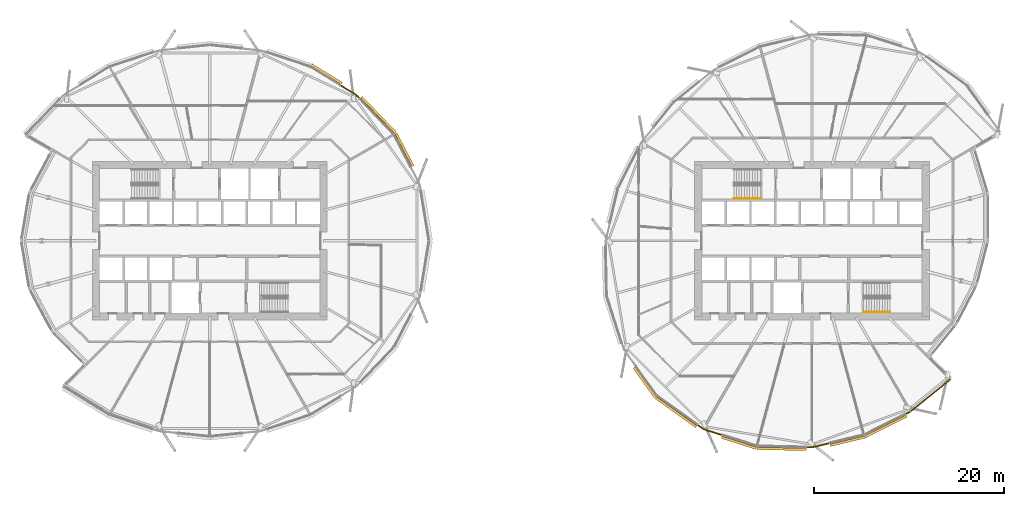
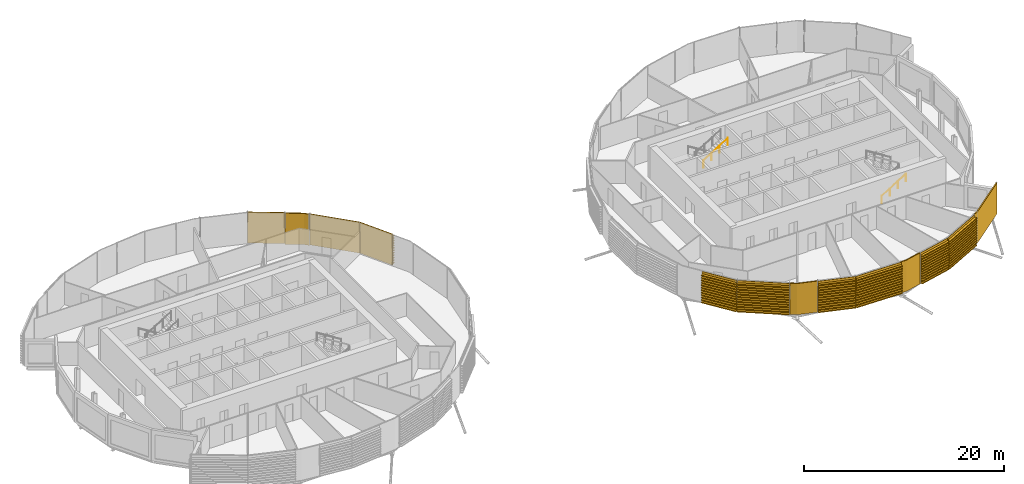
# One storey, part 36 of 38: 13 coverings, 2 railings.
"""IFC4 building model written with IfcOpenShell, lengths in metres."""

import ifcopenshell
import ifcopenshell.guid

model = None  # the IFC model being written
_history = None  # IfcOwnerHistory: only IFC2X3 demands one
_inside = {}  # id of a spatial element -> (the spatial element, [elements in it])
_under = {}  # id of a project, library or spatial element -> (it, [spatial elements below it])
_declared = {}  # id of a project -> (the project, [libraries it declares])
_typed = {}  # id of a type object -> (the type object, [elements of that type])
_made_of = {}  # id of a material, layer set ... -> (it, [elements and type objects made of it])


def new_model(schema):
    """Start an empty IFC model of exactly this schema.

    Asked for "IFC4X3", IfcOpenShell would pick the latest addendum, in which some entities
    have other attributes; the version numbers below select the first issue.
    IFC2X3 requires an IfcOwnerHistory on every rooted entity: one is made here for all.
    """
    global model, _history
    if schema == "IFC4X3":
        model = ifcopenshell.file(schema_version=(4, 3, 0, 0))
    else:
        model = ifcopenshell.file(schema=schema)
    _inside.clear()
    _under.clear()
    _declared.clear()
    _typed.clear()
    _made_of.clear()
    _history = None
    if model.schema == "IFC2X3":
        org = make("IfcOrganization", Name="unknown")
        user = make(
            "IfcPersonAndOrganization",
            ThePerson=make("IfcPerson", FamilyName="unknown"),
            TheOrganization=org,
        )
        app = make(
            "IfcApplication",
            ApplicationDeveloper=org,
            Version="unknown",
            ApplicationFullName="unknown",
            ApplicationIdentifier="unknown",
        )
        _history = make(
            "IfcOwnerHistory",
            OwningUser=user,
            OwningApplication=app,
            ChangeAction="ADDED",
            CreationDate=0,
        )
    return model


def make(cls, **values):
    """One entity of the class cls with the attributes given. An attribute that is None is left unset."""
    return model.create_entity(
        cls, **{name: value for name, value in values.items() if value is not None}
    )


def rooted(cls, **values):
    """An entity with a GlobalId (a new one), such as an element, a storey or a relation."""
    return make(cls, GlobalId=ifcopenshell.guid.new(), OwnerHistory=_history, **values)


def si_unit(unit_type, name, prefix=None):
    """IfcSIUnit, for example si_unit("LENGTHUNIT", "METRE", prefix="MILLI")."""
    return make("IfcSIUnit", UnitType=unit_type, Prefix=prefix, Name=name)


def assignment(units):
    """IfcUnitAssignment: the units of a project."""
    return None if units is None else make("IfcUnitAssignment", Units=units)


def point(xyz):
    """IfcCartesianPoint."""
    return None if xyz is None else make("IfcCartesianPoint", Coordinates=xyz)


def direction(xyz):
    """IfcDirection."""
    return None if xyz is None else make("IfcDirection", DirectionRatios=xyz)


def frame(location, z_axis=None, x_axis=None):
    """IfcAxis2Placement3D, a coordinate frame: its origin and axes. An axis left out is left unset."""
    return make(
        "IfcAxis2Placement3D",
        Location=point(location),
        Axis=direction(z_axis),
        RefDirection=direction(x_axis),
    )


def frame_2d(location, x_axis=None):
    """IfcAxis2Placement2D, a coordinate frame in the plane: its origin and x axis."""
    return make(
        "IfcAxis2Placement2D", Location=point(location), RefDirection=direction(x_axis)
    )


def origin():
    """The frame at (0, 0, 0) with its axes left unset."""
    return frame((0.0, 0.0, 0.0))


def origin_2d():
    """The frame at (0, 0) in the plane with its x axis left unset."""
    return frame_2d((0.0, 0.0))


def place(relative_to, where):
    """IfcLocalPlacement: puts the frame where relative to a parent placement (None: the world)."""
    return make(
        "IfcLocalPlacement", PlacementRelTo=relative_to, RelativePlacement=where
    )


def context(
    kind, dimensions, precision=None, world=None, true_north=None, identifier=None
):
    """IfcGeometricRepresentationContext, for example the 3D "Model" context."""
    return make(
        "IfcGeometricRepresentationContext",
        ContextIdentifier=identifier,
        ContextType=kind,
        CoordinateSpaceDimension=dimensions,
        Precision=precision,
        WorldCoordinateSystem=world,
        TrueNorth=true_north,
    )


def subcontext(parent, identifier, kind, view, scale=None):
    """IfcGeometricRepresentationSubContext, for example "Body" below "Model"."""
    return make(
        "IfcGeometricRepresentationSubContext",
        ContextIdentifier=identifier,
        ContextType=kind,
        ParentContext=parent,
        TargetScale=scale,
        TargetView=view,
    )


def project(units=None, contexts=None):
    """IfcProject with its units and contexts."""
    return rooted(
        "IfcProject",
        Name="project",
        RepresentationContexts=contexts,
        UnitsInContext=assignment(units),
    )


def spatial(cls, under=None, at=None, **own):
    """A site, building, storey or space (cls), placed at a placement, below another one or the project."""
    s = rooted(cls, ObjectPlacement=at, **own)
    if under is not None:
        _under.setdefault(under.id(), (under, []))[1].append(s)
    return s


def polyline(points):
    """IfcPolyline through the points."""
    return make("IfcPolyline", Points=[point(p) for p in points])


def profile(cls, at=None, kind="AREA", **sizes):
    """A parametric profile (cls). Its sizes go by their IFC names, for example OverallWidth=200.0."""
    return make(cls, ProfileType=kind, Position=at, **sizes)


def circle(**sizes):
    """IfcCircleProfileDef."""
    return profile("IfcCircleProfileDef", **sizes)


def outline(outer, holes=None, kind="AREA"):
    """IfcArbitraryClosedProfileDef: a profile drawn as a closed curve; with holes, ...WithVoids."""
    if holes is None:
        return make("IfcArbitraryClosedProfileDef", ProfileType=kind, OuterCurve=outer)
    return make(
        "IfcArbitraryProfileDefWithVoids",
        ProfileType=kind,
        OuterCurve=outer,
        InnerCurves=holes,
    )


def extrude(swept, where, along, depth):
    """IfcExtrudedAreaSolid: the profile swept, set in the frame where, extruded along a direction by depth."""
    return make(
        "IfcExtrudedAreaSolid",
        SweptArea=swept,
        Position=where,
        ExtrudedDirection=direction(along),
        Depth=depth,
    )


def shape(context_of_items, identifier, shape_type, items):
    """IfcShapeRepresentation: the items that make up one representation, for example the "Body"."""
    return make(
        "IfcShapeRepresentation",
        ContextOfItems=context_of_items,
        RepresentationIdentifier=identifier,
        RepresentationType=shape_type,
        Items=items,
    )


def material(Name=None, Category=None):
    """IfcMaterial."""
    return make("IfcMaterial", Name=Name, Category=Category)


def layer(
    of_material, thickness, ventilated=None, Name=None, Category=None, Priority=None
):
    """IfcMaterialLayer: one layer of a wall or slab, of a material (None: an air gap)."""
    return make(
        "IfcMaterialLayer",
        Material=of_material,
        LayerThickness=thickness,
        IsVentilated=ventilated,
        Name=Name,
        Category=Category,
        Priority=Priority,
    )


def layer_set(layers, Name=None):
    """IfcMaterialLayerSet."""
    return make("IfcMaterialLayerSet", MaterialLayers=layers, LayerSetName=Name)


def material_profile(
    of_material, cross_section, Name=None, Category=None, Priority=None
):
    """IfcMaterialProfile: a cross section and its material."""
    return make(
        "IfcMaterialProfile",
        Name=Name,
        Material=of_material,
        Profile=cross_section,
        Priority=Priority,
        Category=Category,
    )


def profile_set(profiles, Name=None, composite=None):
    """IfcMaterialProfileSet."""
    return make(
        "IfcMaterialProfileSet",
        Name=Name,
        MaterialProfiles=profiles,
        CompositeProfile=composite,
    )


def made_of(thing, what):
    """Note that an element or type object is made of a material, layer set ...; save() writes the relation."""
    if what is not None:
        _made_of.setdefault(what.id(), (what, []))[1].append(thing)
    return thing


def type_object(cls, material=None, **own):
    """A type object (cls), such as IfcWallType, which elements share."""
    return made_of(rooted(cls, **own), material)


def element(
    cls,
    number,
    at=None,
    inside=None,
    cuts=None,
    type_object=None,
    material=None,
    context=None,
    identifier="Body",
    shape_type=None,
    held_by="IfcProductDefinitionShape",
    body=None,
    shapes=None,
    **own,
):
    """One element of the class cls, such as IfcWall. Its Tag is "e" and its number.

    at: its placement. inside: the storey or other place that contains it. cuts: it is an
    opening in that element (IfcRelVoidsElement). A single representation is given by context,
    identifier, shape_type and body (its items); several are given by shapes. held_by: the class
    of the entity that holds the representations. save() writes the other relations.
    """
    e = rooted(cls, Tag="e%d" % number, ObjectPlacement=at, **own)
    if body is not None:
        shapes = [shape(context, identifier, shape_type, body)]
    if shapes is not None:
        e.Representation = make(held_by, Representations=shapes)
    if inside is not None:
        _inside.setdefault(inside.id(), (inside, []))[1].append(e)
    if cuts is not None:
        rooted(
            "IfcRelVoidsElement", RelatingBuildingElement=cuts, RelatedOpeningElement=e
        )
    if type_object is not None:
        _typed.setdefault(type_object.id(), (type_object, []))[1].append(e)
    return made_of(e, material)


def aggregate(whole, parts):
    """IfcRelAggregates: a whole, such as a stair, and the parts it consists of."""
    return rooted("IfcRelAggregates", RelatingObject=whole, RelatedObjects=parts)


def save(model, path):
    """Write the relations noted so far, then the file.

    IfcRelAggregates (storeys below a building ...), IfcRelContainedInSpatialStructure (elements
    in a storey), IfcRelDefinesByType, IfcRelAssociatesMaterial and IfcRelDeclares: one each for
    every whole, place, type object, material and project.
    """
    for whole, parts in _under.values():
        aggregate(whole, parts)
    for where, things in _inside.values():
        rooted(
            "IfcRelContainedInSpatialStructure",
            RelatedElements=things,
            RelatingStructure=where,
        )
    for kind, things in _typed.values():
        rooted("IfcRelDefinesByType", RelatedObjects=things, RelatingType=kind)
    for what, things in _made_of.values():
        rooted("IfcRelAssociatesMaterial", RelatedObjects=things, RelatingMaterial=what)
    for by, libraries in _declared.values():
        rooted("IfcRelDeclares", RelatingContext=by, RelatedDefinitions=libraries)
    model.write(path)


model = new_model("IFC4")

# Units and contexts
model_context = context("Model", 3, precision=1e-05, world=origin(), true_north=direction((0.0, 1.0)))
body_context = subcontext(model_context, "Body", "Model", "MODEL_VIEW")
ifc_project = project(units=[si_unit("LENGTHUNIT", "METRE"), si_unit("AREAUNIT", "SQUARE_METRE"), si_unit("VOLUMEUNIT", "CUBIC_METRE"), si_unit("PLANEANGLEUNIT", "RADIAN"), si_unit("MASSUNIT", "GRAM", prefix="KILO")], contexts=[model_context])

# Site, building, storey
site_placement = place(None, origin())
site = spatial("IfcSite", under=ifc_project, at=site_placement, CompositionType="ELEMENT")
building_placement = place(site_placement, origin())
building = spatial("IfcBuilding", under=site, at=building_placement, Name="Rimbun Link Towers", CompositionType="ELEMENT")
storey_placement = place(building_placement, frame((0.0, 0.0, 123.39990234375)))
storey = spatial("IfcBuildingStorey", under=building, at=storey_placement, Name="L30", CompositionType="ELEMENT", Elevation=123.39990234375)

# Coverings
ifc_material_1 = material(Name="Terracotta", Category="masonry")
ifc_layer = layer(ifc_material_1, 0.1201171875)
ifc_layer_set = layer_set([ifc_layer], Name="LINK PIER terracotta cladding 120")
covering_type_1 = type_object("IfcCoveringType", Name="LINK PIER terracotta cladding 120", PredefinedType="CLADDING", material=ifc_layer_set)
covering_1_placement = place(storey_placement, origin())
element("IfcCovering", 1, at=covering_1_placement, inside=storey, type_object=covering_type_1, Name="LINK PIER cladding", PredefinedType="CLADDING", context=body_context, shape_type="SweptSolid", body=[
    extrude(outline(polyline([(-17.97802734375, 16.343994140625), (-16.384521484375, 15.365478515625), (-15.989990234375, 14.9541015625), (-15.9033203125, 15.037109375), (-16.308349609375, 15.459716796875), (-17.915283203125, 16.4462890625), (-17.97802734375, 16.343994140625)])), origin(), (0.0, 0.0, 1.0), 3.800048828125),
])
covering_2_placement = place(storey_placement, origin())
element("IfcCovering", 2, at=covering_2_placement, inside=storey, type_object=covering_type_1, Name="LINK PIER cladding", PredefinedType="CLADDING", context=body_context, shape_type="SweptSolid", body=[
    extrude(outline(polyline([(22.2841796875, -20.439208984375), (20.3115234375, -19.81201171875), (19.7265625, -19.39208984375), (19.65673828125, -19.48974609375), (20.257080078125, -19.92041015625), (22.247802734375, -20.5537109375), (22.2841796875, -20.439208984375)])), origin(), (0.0, 0.0, 1.0), 3.800048828125),
])
covering_3_placement = place(storey_placement, origin())
element("IfcCovering", 3, at=covering_3_placement, inside=storey, type_object=covering_type_1, Name="LINK PIER cladding", PredefinedType="CLADDING", context=body_context, shape_type="SweptSolid", body=[
    extrude(outline(polyline([(33.568603515625, -21.29541015625), (31.75, -21.730224609375), (31.18017578125, -21.71826171875), (31.177490234375, -21.83837890625), (31.762939453125, -21.8505859375), (33.5966796875, -21.412109375), (33.568603515625, -21.29541015625)])), origin(), (0.0, 0.0, 1.0), 3.800048828125),
])
covering_4_placement = place(storey_placement, origin())
element("IfcCovering", 4, at=covering_4_placement, inside=storey, type_object=covering_type_1, Name="LINK PIER cladding", PredefinedType="CLADDING", context=body_context, shape_type="SweptSolid", body=[
    extrude(outline(polyline([(46.29248046875, -14.58447265625), (42.1201171875, -17.961669921875), (41.61083984375, -18.217529296875), (41.664794921875, -18.32470703125), (42.185546875, -18.063232421875), (46.367919921875, -14.677734375), (46.29248046875, -14.58447265625)])), origin(), (0.0, 0.0, 1.0), 3.800048828125),
])

# Railings
ifc_material_2 = material(Name="Stainless steel grade 316", Category="steel")
railing_type = type_object("IfcRailingType", Name="Stair handrail", PredefinedType="HANDRAIL", material=ifc_material_2)
for number, where, name in (
    (5, (23.5, 4.449951171875, 2.07275390625), "L30 ST3 stair handrail 2"),
    (6, (37.199951171875, -7.5, 0.1728515625), "L30 ST4 stair handrail 1"),
):
    element("IfcRailing", number, at=place(storey_placement, frame(where)), inside=storey, type_object=railing_type, Name=name, PredefinedType="HANDRAIL", context=body_context, shape_type="SweptSolid", body=[
        extrude(circle(Radius=0.02392578125, at=origin_2d()), frame((0.0, 0.0, 0.8759765625), z_axis=(0.851089632645, 0.0, 0.525020415988), x_axis=(0.0, 1.0, 0.0)), (0.0, 0.0, 1.0), 3.2900390625),
        extrude(circle(Radius=0.02099609375, at=origin_2d()), origin(), (0.0, 0.0, 1.0), 0.851806640625),
        extrude(circle(Radius=0.02099609375, at=origin_2d()), frame((0.933349609375, 0.0, 0.57568359375)), (0.0, 0.0, 1.0), 0.851806640625),
        extrude(circle(Radius=0.02099609375, at=origin_2d()), frame((1.86669921875, 0.0, 1.151611328125)), (0.0, 0.0, 1.0), 0.851806640625),
        extrude(circle(Radius=0.02099609375, at=origin_2d()), frame((2.800048828125, 0.0, 1.727294921875)), (0.0, 0.0, 1.0), 0.851806640625),
    ])

# Coverings
ifc_material_3 = material(Name="Terracotta", Category="masonry")
ifc_material_profile = material_profile(ifc_material_3, outline(polyline([(0.123046875, 0.0), (0.1630859375, 0.0), (0.1630859375, 0.10009765625), (0.423095703125, 0.10009765625), (0.423095703125, 0.219970703125), (0.1630859375, 0.219970703125), (0.1630859375, 0.39990234375), (0.423095703125, 0.39990234375), (0.423095703125, 0.52001953125), (0.1630859375, 0.52001953125), (0.1630859375, 0.699951171875), (0.423095703125, 0.699951171875), (0.423095703125, 0.820068359375), (0.1630859375, 0.820068359375), (0.1630859375, 1.0), (0.423095703125, 1.0), (0.423095703125, 1.1201171875), (0.1630859375, 1.1201171875), (0.1630859375, 1.300048828125), (0.423095703125, 1.300048828125), (0.423095703125, 1.419921875), (0.1630859375, 1.419921875), (0.1630859375, 1.60009765625), (0.423095703125, 1.60009765625), (0.423095703125, 1.719970703125), (0.1630859375, 1.719970703125), (0.1630859375, 1.89990234375), (0.423095703125, 1.89990234375), (0.423095703125, 2.02001953125), (0.1630859375, 2.02001953125), (0.1630859375, 2.199951171875), (0.423095703125, 2.199951171875), (0.423095703125, 2.320068359375), (0.1630859375, 2.320068359375), (0.1630859375, 2.5), (0.423095703125, 2.5), (0.423095703125, 2.6201171875), (0.1630859375, 2.6201171875), (0.1630859375, 2.800048828125), (0.423095703125, 2.800048828125), (0.423095703125, 2.919921875), (0.1630859375, 2.919921875), (0.1630859375, 3.10009765625), (0.423095703125, 3.10009765625), (0.423095703125, 3.219970703125), (0.1630859375, 3.219970703125), (0.1630859375, 3.39990234375), (0.423095703125, 3.39990234375), (0.423095703125, 3.52001953125), (0.1630859375, 3.52001953125), (0.1630859375, 3.800048828125), (0.123046875, 3.800048828125), (0.123046875, 0.0)])), Name="BAGUETTE 120X300")
ifc_profile_set = profile_set([ifc_material_profile], Name="Terracotta")
covering_type_2 = type_object("IfcCoveringType", Name="TERRACOTTA BAGUETTE 120X300 H3800", PredefinedType="CLADDING", material=ifc_profile_set)
covering_5_placement = place(storey_placement, frame((-12.37646484375, 11.185302734375, 0.0), z_axis=(0.459537686225, -0.888158271334, 0.0), x_axis=(0.888158271334, 0.459537686225, 0.0)))
element("IfcCovering", 7, at=covering_5_placement, inside=storey, type_object=covering_type_2, Name="TERRACOTTA BAGUETTE", PredefinedType="CLADDING", context=body_context, shape_type="SweptSolid", body=[
    extrude(outline(polyline([(0.123046875, 0.0), (0.1630859375, 0.0), (0.1630859375, 0.10009765625), (0.423095703125, 0.10009765625), (0.423095703125, 0.219970703125), (0.1630859375, 0.219970703125), (0.1630859375, 0.39990234375), (0.423095703125, 0.39990234375), (0.423095703125, 0.52001953125), (0.1630859375, 0.52001953125), (0.1630859375, 0.699951171875), (0.423095703125, 0.699951171875), (0.423095703125, 0.820068359375), (0.1630859375, 0.820068359375), (0.1630859375, 1.0), (0.423095703125, 1.0), (0.423095703125, 1.1201171875), (0.1630859375, 1.1201171875), (0.1630859375, 1.300048828125), (0.423095703125, 1.300048828125), (0.423095703125, 1.419921875), (0.1630859375, 1.419921875), (0.1630859375, 1.60009765625), (0.423095703125, 1.60009765625), (0.423095703125, 1.719970703125), (0.1630859375, 1.719970703125), (0.1630859375, 1.89990234375), (0.423095703125, 1.89990234375), (0.423095703125, 2.02001953125), (0.1630859375, 2.02001953125), (0.1630859375, 2.199951171875), (0.423095703125, 2.199951171875), (0.423095703125, 2.320068359375), (0.1630859375, 2.320068359375), (0.1630859375, 2.5), (0.423095703125, 2.5), (0.423095703125, 2.6201171875), (0.1630859375, 2.6201171875), (0.1630859375, 2.800048828125), (0.423095703125, 2.800048828125), (0.423095703125, 2.919921875), (0.1630859375, 2.919921875), (0.1630859375, 3.10009765625), (0.423095703125, 3.10009765625), (0.423095703125, 3.219970703125), (0.1630859375, 3.219970703125), (0.1630859375, 3.39990234375), (0.423095703125, 3.39990234375), (0.423095703125, 3.52001953125), (0.1630859375, 3.52001953125), (0.1630859375, 3.800048828125), (0.123046875, 3.800048828125), (0.123046875, 0.0)])), origin(), (0.0, 0.0, 1.0), 3.877197265625),
])
covering_6_placement = place(storey_placement, frame((-15.96923828125, 14.9326171875, 0.0), z_axis=(0.692065709905, -0.721834505391, 0.0), x_axis=(0.721834505391, 0.692065709905, 0.0)))
element("IfcCovering", 8, at=covering_6_placement, inside=storey, type_object=covering_type_2, Name="TERRACOTTA BAGUETTE", PredefinedType="CLADDING", context=body_context, shape_type="SweptSolid", body=[
    extrude(outline(polyline([(0.123046875, 0.0), (0.1630859375, 0.0), (0.1630859375, 0.10009765625), (0.423095703125, 0.10009765625), (0.423095703125, 0.219970703125), (0.1630859375, 0.219970703125), (0.1630859375, 0.39990234375), (0.423095703125, 0.39990234375), (0.423095703125, 0.52001953125), (0.1630859375, 0.52001953125), (0.1630859375, 0.699951171875), (0.423095703125, 0.699951171875), (0.423095703125, 0.820068359375), (0.1630859375, 0.820068359375), (0.1630859375, 1.0), (0.423095703125, 1.0), (0.423095703125, 1.1201171875), (0.1630859375, 1.1201171875), (0.1630859375, 1.300048828125), (0.423095703125, 1.300048828125), (0.423095703125, 1.419921875), (0.1630859375, 1.419921875), (0.1630859375, 1.60009765625), (0.423095703125, 1.60009765625), (0.423095703125, 1.719970703125), (0.1630859375, 1.719970703125), (0.1630859375, 1.89990234375), (0.423095703125, 1.89990234375), (0.423095703125, 2.02001953125), (0.1630859375, 2.02001953125), (0.1630859375, 2.199951171875), (0.423095703125, 2.199951171875), (0.423095703125, 2.320068359375), (0.1630859375, 2.320068359375), (0.1630859375, 2.5), (0.423095703125, 2.5), (0.423095703125, 2.6201171875), (0.1630859375, 2.6201171875), (0.1630859375, 2.800048828125), (0.423095703125, 2.800048828125), (0.423095703125, 2.919921875), (0.1630859375, 2.919921875), (0.1630859375, 3.10009765625), (0.423095703125, 3.10009765625), (0.423095703125, 3.219970703125), (0.1630859375, 3.219970703125), (0.1630859375, 3.39990234375), (0.423095703125, 3.39990234375), (0.423095703125, 3.52001953125), (0.1630859375, 3.52001953125), (0.1630859375, 3.800048828125), (0.123046875, 3.800048828125), (0.123046875, 0.0)])), origin(), (0.0, 0.0, 1.0), 5.19140625),
])
covering_7_placement = place(storey_placement, frame((-21.178955078125, 18.3095703125, 0.0), z_axis=(0.852175326292, -0.523256355203, 0.0), x_axis=(0.523256355203, 0.852175326292, 0.0)))
element("IfcCovering", 9, at=covering_7_placement, inside=storey, type_object=covering_type_2, Name="TERRACOTTA BAGUETTE", PredefinedType="CLADDING", context=body_context, shape_type="SweptSolid", body=[
    extrude(outline(polyline([(0.123046875, 0.0), (0.1630859375, 0.0), (0.1630859375, 0.10009765625), (0.423095703125, 0.10009765625), (0.423095703125, 0.219970703125), (0.1630859375, 0.219970703125), (0.1630859375, 0.39990234375), (0.423095703125, 0.39990234375), (0.423095703125, 0.52001953125), (0.1630859375, 0.52001953125), (0.1630859375, 0.699951171875), (0.423095703125, 0.699951171875), (0.423095703125, 0.820068359375), (0.1630859375, 0.820068359375), (0.1630859375, 1.0), (0.423095703125, 1.0), (0.423095703125, 1.1201171875), (0.1630859375, 1.1201171875), (0.1630859375, 1.300048828125), (0.423095703125, 1.300048828125), (0.423095703125, 1.419921875), (0.1630859375, 1.419921875), (0.1630859375, 1.60009765625), (0.423095703125, 1.60009765625), (0.423095703125, 1.719970703125), (0.1630859375, 1.719970703125), (0.1630859375, 1.89990234375), (0.423095703125, 1.89990234375), (0.423095703125, 2.02001953125), (0.1630859375, 2.02001953125), (0.1630859375, 2.199951171875), (0.423095703125, 2.199951171875), (0.423095703125, 2.320068359375), (0.1630859375, 2.320068359375), (0.1630859375, 2.5), (0.423095703125, 2.5), (0.423095703125, 2.6201171875), (0.1630859375, 2.6201171875), (0.1630859375, 2.800048828125), (0.423095703125, 2.800048828125), (0.423095703125, 2.919921875), (0.1630859375, 2.919921875), (0.1630859375, 3.10009765625), (0.423095703125, 3.10009765625), (0.423095703125, 3.219970703125), (0.1630859375, 3.219970703125), (0.1630859375, 3.39990234375), (0.423095703125, 3.39990234375), (0.423095703125, 3.52001953125), (0.1630859375, 3.52001953125), (0.1630859375, 3.800048828125), (0.123046875, 3.800048828125), (0.123046875, 0.0)])), origin(), (0.0, 0.0, 1.0), 3.72607421875),
])
covering_8_placement = place(storey_placement, frame((15.436279296875, -16.313720703125, 0.0), z_axis=(-0.582968725467, 0.812494593907, 0.0), x_axis=(-0.812494593907, -0.582968725467, 0.0)))
element("IfcCovering", 10, at=covering_8_placement, inside=storey, type_object=covering_type_2, Name="TERRACOTTA BAGUETTE", PredefinedType="CLADDING", context=body_context, shape_type="SweptSolid", body=[
    extrude(outline(polyline([(0.123046875, 0.0), (0.1630859375, 0.0), (0.1630859375, 0.10009765625), (0.423095703125, 0.10009765625), (0.423095703125, 0.219970703125), (0.1630859375, 0.219970703125), (0.1630859375, 0.39990234375), (0.423095703125, 0.39990234375), (0.423095703125, 0.52001953125), (0.1630859375, 0.52001953125), (0.1630859375, 0.699951171875), (0.423095703125, 0.699951171875), (0.423095703125, 0.820068359375), (0.1630859375, 0.820068359375), (0.1630859375, 1.0), (0.423095703125, 1.0), (0.423095703125, 1.1201171875), (0.1630859375, 1.1201171875), (0.1630859375, 1.300048828125), (0.423095703125, 1.300048828125), (0.423095703125, 1.419921875), (0.1630859375, 1.419921875), (0.1630859375, 1.60009765625), (0.423095703125, 1.60009765625), (0.423095703125, 1.719970703125), (0.1630859375, 1.719970703125), (0.1630859375, 1.89990234375), (0.423095703125, 1.89990234375), (0.423095703125, 2.02001953125), (0.1630859375, 2.02001953125), (0.1630859375, 2.199951171875), (0.423095703125, 2.199951171875), (0.423095703125, 2.320068359375), (0.1630859375, 2.320068359375), (0.1630859375, 2.5), (0.423095703125, 2.5), (0.423095703125, 2.6201171875), (0.1630859375, 2.6201171875), (0.1630859375, 2.800048828125), (0.423095703125, 2.800048828125), (0.423095703125, 2.919921875), (0.1630859375, 2.919921875), (0.1630859375, 3.10009765625), (0.423095703125, 3.10009765625), (0.423095703125, 3.219970703125), (0.1630859375, 3.219970703125), (0.1630859375, 3.39990234375), (0.423095703125, 3.39990234375), (0.423095703125, 3.52001953125), (0.1630859375, 3.52001953125), (0.1630859375, 3.800048828125), (0.123046875, 3.800048828125), (0.123046875, 0.0)])), origin(), (0.0, 0.0, 1.0), 3.800537109375),
])
covering_9_placement = place(storey_placement, frame((19.7021484375, -19.374755859375, 0.0), z_axis=(-0.812471696344, 0.583000636912, 0.0), x_axis=(-0.583000636912, -0.812471696344, 0.0)))
element("IfcCovering", 11, at=covering_9_placement, inside=storey, type_object=covering_type_2, Name="TERRACOTTA BAGUETTE", PredefinedType="CLADDING", context=body_context, shape_type="SweptSolid", body=[
    extrude(outline(polyline([(0.123046875, 0.0), (0.1630859375, 0.0), (0.1630859375, 0.10009765625), (0.423095703125, 0.10009765625), (0.423095703125, 0.219970703125), (0.1630859375, 0.219970703125), (0.1630859375, 0.39990234375), (0.423095703125, 0.39990234375), (0.423095703125, 0.52001953125), (0.1630859375, 0.52001953125), (0.1630859375, 0.699951171875), (0.423095703125, 0.699951171875), (0.423095703125, 0.820068359375), (0.1630859375, 0.820068359375), (0.1630859375, 1.0), (0.423095703125, 1.0), (0.423095703125, 1.1201171875), (0.1630859375, 1.1201171875), (0.1630859375, 1.300048828125), (0.423095703125, 1.300048828125), (0.423095703125, 1.419921875), (0.1630859375, 1.419921875), (0.1630859375, 1.60009765625), (0.423095703125, 1.60009765625), (0.423095703125, 1.719970703125), (0.1630859375, 1.719970703125), (0.1630859375, 1.89990234375), (0.423095703125, 1.89990234375), (0.423095703125, 2.02001953125), (0.1630859375, 2.02001953125), (0.1630859375, 2.199951171875), (0.423095703125, 2.199951171875), (0.423095703125, 2.320068359375), (0.1630859375, 2.320068359375), (0.1630859375, 2.5), (0.423095703125, 2.5), (0.423095703125, 2.6201171875), (0.1630859375, 2.6201171875), (0.1630859375, 2.800048828125), (0.423095703125, 2.800048828125), (0.423095703125, 2.919921875), (0.1630859375, 2.919921875), (0.1630859375, 3.10009765625), (0.423095703125, 3.10009765625), (0.423095703125, 3.219970703125), (0.1630859375, 3.219970703125), (0.1630859375, 3.39990234375), (0.423095703125, 3.39990234375), (0.423095703125, 3.52001953125), (0.1630859375, 3.52001953125), (0.1630859375, 3.800048828125), (0.123046875, 3.800048828125), (0.123046875, 0.0)])), origin(), (0.0, 0.0, 1.0), 5.25048828125),
])
covering_10_placement = place(storey_placement, frame((25.960205078125, -21.6083984375, 0.0), z_axis=(-0.952955932815, 0.303108875016, 0.0), x_axis=(-0.303108875016, -0.952955932815, 0.0)))
element("IfcCovering", 12, at=covering_10_placement, inside=storey, type_object=covering_type_2, Name="TERRACOTTA BAGUETTE", PredefinedType="CLADDING", context=body_context, shape_type="SweptSolid", body=[
    extrude(outline(polyline([(0.123046875, 0.0), (0.1630859375, 0.0), (0.1630859375, 0.10009765625), (0.423095703125, 0.10009765625), (0.423095703125, 0.219970703125), (0.1630859375, 0.219970703125), (0.1630859375, 0.39990234375), (0.423095703125, 0.39990234375), (0.423095703125, 0.52001953125), (0.1630859375, 0.52001953125), (0.1630859375, 0.699951171875), (0.423095703125, 0.699951171875), (0.423095703125, 0.820068359375), (0.1630859375, 0.820068359375), (0.1630859375, 1.0), (0.423095703125, 1.0), (0.423095703125, 1.1201171875), (0.1630859375, 1.1201171875), (0.1630859375, 1.300048828125), (0.423095703125, 1.300048828125), (0.423095703125, 1.419921875), (0.1630859375, 1.419921875), (0.1630859375, 1.60009765625), (0.423095703125, 1.60009765625), (0.423095703125, 1.719970703125), (0.1630859375, 1.719970703125), (0.1630859375, 1.89990234375), (0.423095703125, 1.89990234375), (0.423095703125, 2.02001953125), (0.1630859375, 2.02001953125), (0.1630859375, 2.199951171875), (0.423095703125, 2.199951171875), (0.423095703125, 2.320068359375), (0.1630859375, 2.320068359375), (0.1630859375, 2.5), (0.423095703125, 2.5), (0.423095703125, 2.6201171875), (0.1630859375, 2.6201171875), (0.1630859375, 2.800048828125), (0.423095703125, 2.800048828125), (0.423095703125, 2.919921875), (0.1630859375, 2.919921875), (0.1630859375, 3.10009765625), (0.423095703125, 3.10009765625), (0.423095703125, 3.219970703125), (0.1630859375, 3.219970703125), (0.1630859375, 3.39990234375), (0.423095703125, 3.39990234375), (0.423095703125, 3.52001953125), (0.1630859375, 3.52001953125), (0.1630859375, 3.800048828125), (0.123046875, 3.800048828125), (0.123046875, 0.0)])), origin(), (0.0, 0.0, 1.0), 3.82763671875),
])
covering_11_placement = place(storey_placement, frame((31.150146484375, -21.7177734375, 0.0), z_axis=(-0.999778008373, 0.021069740698, 0.0), x_axis=(-0.021069740698, -0.999778008373, 0.0)))
element("IfcCovering", 13, at=covering_11_placement, inside=storey, type_object=covering_type_2, Name="TERRACOTTA BAGUETTE", PredefinedType="CLADDING", context=body_context, shape_type="SweptSolid", body=[
    extrude(outline(polyline([(0.123046875, 0.0), (0.1630859375, 0.0), (0.1630859375, 0.10009765625), (0.423095703125, 0.10009765625), (0.423095703125, 0.219970703125), (0.1630859375, 0.219970703125), (0.1630859375, 0.39990234375), (0.423095703125, 0.39990234375), (0.423095703125, 0.52001953125), (0.1630859375, 0.52001953125), (0.1630859375, 0.699951171875), (0.423095703125, 0.699951171875), (0.423095703125, 0.820068359375), (0.1630859375, 0.820068359375), (0.1630859375, 1.0), (0.423095703125, 1.0), (0.423095703125, 1.1201171875), (0.1630859375, 1.1201171875), (0.1630859375, 1.300048828125), (0.423095703125, 1.300048828125), (0.423095703125, 1.419921875), (0.1630859375, 1.419921875), (0.1630859375, 1.60009765625), (0.423095703125, 1.60009765625), (0.423095703125, 1.719970703125), (0.1630859375, 1.719970703125), (0.1630859375, 1.89990234375), (0.423095703125, 1.89990234375), (0.423095703125, 2.02001953125), (0.1630859375, 2.02001953125), (0.1630859375, 2.199951171875), (0.423095703125, 2.199951171875), (0.423095703125, 2.320068359375), (0.1630859375, 2.320068359375), (0.1630859375, 2.5), (0.423095703125, 2.5), (0.423095703125, 2.6201171875), (0.1630859375, 2.6201171875), (0.1630859375, 2.800048828125), (0.423095703125, 2.800048828125), (0.423095703125, 2.919921875), (0.1630859375, 2.919921875), (0.1630859375, 3.10009765625), (0.423095703125, 3.10009765625), (0.423095703125, 3.219970703125), (0.1630859375, 3.219970703125), (0.1630859375, 3.39990234375), (0.423095703125, 3.39990234375), (0.423095703125, 3.52001953125), (0.1630859375, 3.52001953125), (0.1630859375, 3.800048828125), (0.123046875, 3.800048828125), (0.123046875, 0.0)])), origin(), (0.0, 0.0, 1.0), 5.191162109375),
])
covering_12_placement = place(storey_placement, frame((37.221923828125, -20.421630859375, 0.0), z_axis=(-0.972573736539, -0.232594769921, 0.0), x_axis=(0.232594769921, -0.972573736539, 0.0)))
element("IfcCovering", 14, at=covering_12_placement, inside=storey, type_object=covering_type_2, Name="TERRACOTTA BAGUETTE", PredefinedType="CLADDING", context=body_context, shape_type="SweptSolid", body=[
    extrude(outline(polyline([(0.123046875, 0.0), (0.1630859375, 0.0), (0.1630859375, 0.10009765625), (0.423095703125, 0.10009765625), (0.423095703125, 0.219970703125), (0.1630859375, 0.219970703125), (0.1630859375, 0.39990234375), (0.423095703125, 0.39990234375), (0.423095703125, 0.52001953125), (0.1630859375, 0.52001953125), (0.1630859375, 0.699951171875), (0.423095703125, 0.699951171875), (0.423095703125, 0.820068359375), (0.1630859375, 0.820068359375), (0.1630859375, 1.0), (0.423095703125, 1.0), (0.423095703125, 1.1201171875), (0.1630859375, 1.1201171875), (0.1630859375, 1.300048828125), (0.423095703125, 1.300048828125), (0.423095703125, 1.419921875), (0.1630859375, 1.419921875), (0.1630859375, 1.60009765625), (0.423095703125, 1.60009765625), (0.423095703125, 1.719970703125), (0.1630859375, 1.719970703125), (0.1630859375, 1.89990234375), (0.423095703125, 1.89990234375), (0.423095703125, 2.02001953125), (0.1630859375, 2.02001953125), (0.1630859375, 2.199951171875), (0.423095703125, 2.199951171875), (0.423095703125, 2.320068359375), (0.1630859375, 2.320068359375), (0.1630859375, 2.5), (0.423095703125, 2.5), (0.423095703125, 2.6201171875), (0.1630859375, 2.6201171875), (0.1630859375, 2.800048828125), (0.423095703125, 2.800048828125), (0.423095703125, 2.919921875), (0.1630859375, 2.919921875), (0.1630859375, 3.10009765625), (0.423095703125, 3.10009765625), (0.423095703125, 3.219970703125), (0.1630859375, 3.219970703125), (0.1630859375, 3.39990234375), (0.423095703125, 3.39990234375), (0.423095703125, 3.52001953125), (0.1630859375, 3.52001953125), (0.1630859375, 3.800048828125), (0.123046875, 3.800048828125), (0.123046875, 0.0)])), origin(), (0.0, 0.0, 1.0), 3.726318359375),
])
covering_13_placement = place(storey_placement, frame((41.583984375, -18.23095703125, 0.0), z_axis=(-0.893635542068, -0.448793402305, 0.0), x_axis=(0.448793402305, -0.893635542068, 0.0)))
element("IfcCovering", 15, at=covering_13_placement, inside=storey, type_object=covering_type_2, Name="TERRACOTTA BAGUETTE", PredefinedType="CLADDING", context=body_context, shape_type="SweptSolid", body=[
    extrude(outline(polyline([(0.123046875, 0.0), (0.1630859375, 0.0), (0.1630859375, 0.10009765625), (0.423095703125, 0.10009765625), (0.423095703125, 0.219970703125), (0.1630859375, 0.219970703125), (0.1630859375, 0.39990234375), (0.423095703125, 0.39990234375), (0.423095703125, 0.52001953125), (0.1630859375, 0.52001953125), (0.1630859375, 0.699951171875), (0.423095703125, 0.699951171875), (0.423095703125, 0.820068359375), (0.1630859375, 0.820068359375), (0.1630859375, 1.0), (0.423095703125, 1.0), (0.423095703125, 1.1201171875), (0.1630859375, 1.1201171875), (0.1630859375, 1.300048828125), (0.423095703125, 1.300048828125), (0.423095703125, 1.419921875), (0.1630859375, 1.419921875), (0.1630859375, 1.60009765625), (0.423095703125, 1.60009765625), (0.423095703125, 1.719970703125), (0.1630859375, 1.719970703125), (0.1630859375, 1.89990234375), (0.423095703125, 1.89990234375), (0.423095703125, 2.02001953125), (0.1630859375, 2.02001953125), (0.1630859375, 2.199951171875), (0.423095703125, 2.199951171875), (0.423095703125, 2.320068359375), (0.1630859375, 2.320068359375), (0.1630859375, 2.5), (0.423095703125, 2.5), (0.423095703125, 2.6201171875), (0.1630859375, 2.6201171875), (0.1630859375, 2.800048828125), (0.423095703125, 2.800048828125), (0.423095703125, 2.919921875), (0.1630859375, 2.919921875), (0.1630859375, 3.10009765625), (0.423095703125, 3.10009765625), (0.423095703125, 3.219970703125), (0.1630859375, 3.219970703125), (0.1630859375, 3.39990234375), (0.423095703125, 3.39990234375), (0.423095703125, 3.52001953125), (0.1630859375, 3.52001953125), (0.1630859375, 3.800048828125), (0.123046875, 3.800048828125), (0.123046875, 0.0)])), origin(), (0.0, 0.0, 1.0), 4.88134765625),
])

save(model, "model.ifc")
